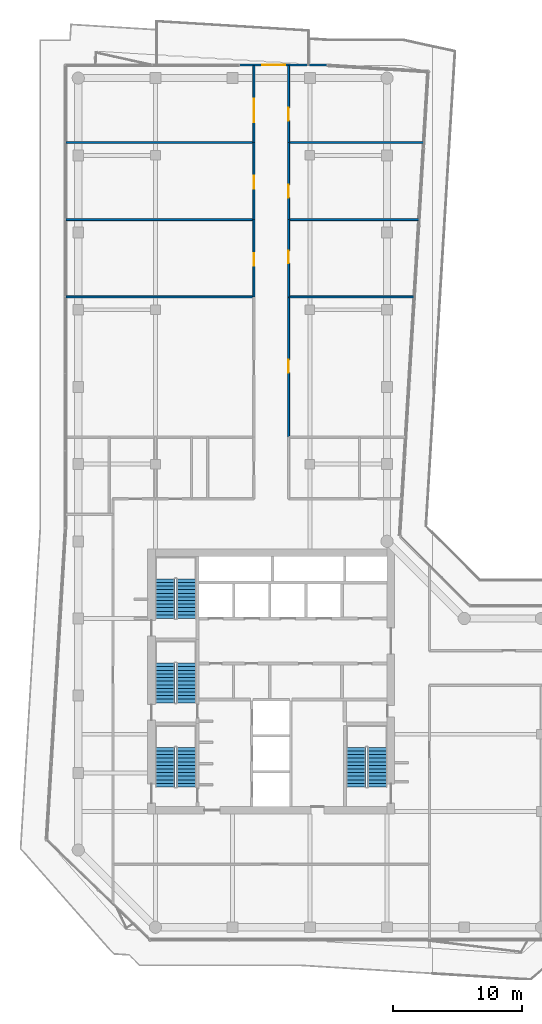
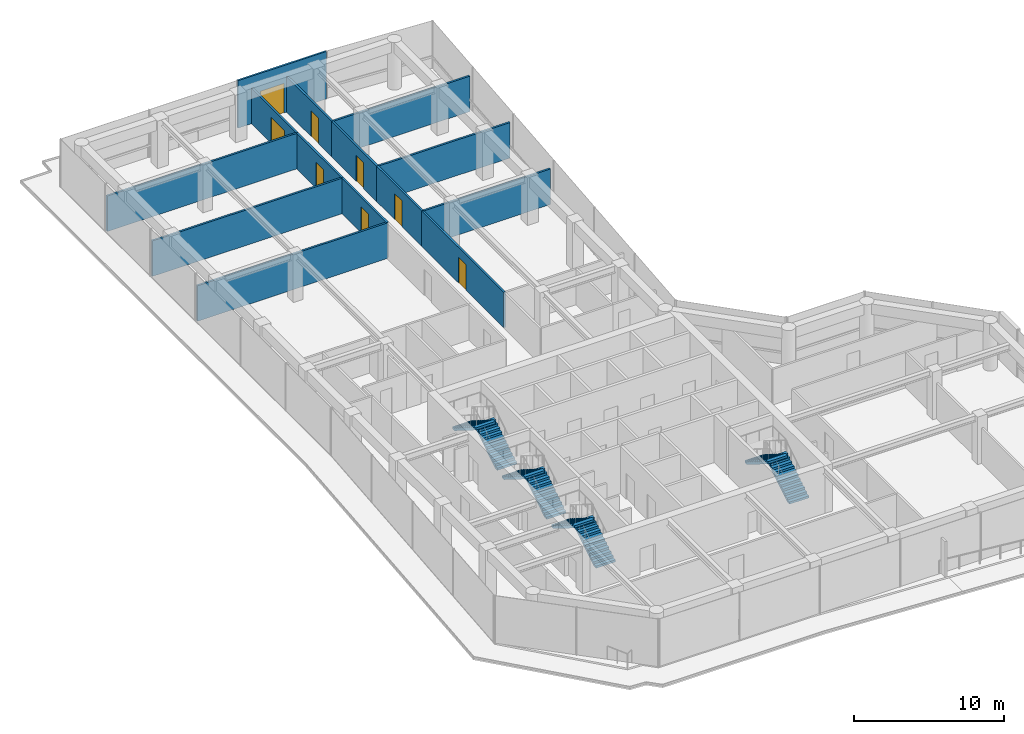
# One storey, part 20 of 22: 14 walls, 8 doors, 8 stair flights, 8 openings, 4 elements without a shape of their own.
"""IFC4 building model written with IfcOpenShell, lengths in metres."""

import ifcopenshell
import ifcopenshell.guid

model = None  # the IFC model being written
_history = None  # IfcOwnerHistory: only IFC2X3 demands one
_inside = {}  # id of a spatial element -> (the spatial element, [elements in it])
_under = {}  # id of a project, library or spatial element -> (it, [spatial elements below it])
_declared = {}  # id of a project -> (the project, [libraries it declares])
_typed = {}  # id of a type object -> (the type object, [elements of that type])
_made_of = {}  # id of a material, layer set ... -> (it, [elements and type objects made of it])


def new_model(schema):
    """Start an empty IFC model of exactly this schema.

    Asked for "IFC4X3", IfcOpenShell would pick the latest addendum, in which some entities
    have other attributes; the version numbers below select the first issue.
    IFC2X3 requires an IfcOwnerHistory on every rooted entity: one is made here for all.
    """
    global model, _history
    if schema == "IFC4X3":
        model = ifcopenshell.file(schema_version=(4, 3, 0, 0))
    else:
        model = ifcopenshell.file(schema=schema)
    _inside.clear()
    _under.clear()
    _declared.clear()
    _typed.clear()
    _made_of.clear()
    _history = None
    if model.schema == "IFC2X3":
        org = make("IfcOrganization", Name="unknown")
        user = make(
            "IfcPersonAndOrganization",
            ThePerson=make("IfcPerson", FamilyName="unknown"),
            TheOrganization=org,
        )
        app = make(
            "IfcApplication",
            ApplicationDeveloper=org,
            Version="unknown",
            ApplicationFullName="unknown",
            ApplicationIdentifier="unknown",
        )
        _history = make(
            "IfcOwnerHistory",
            OwningUser=user,
            OwningApplication=app,
            ChangeAction="ADDED",
            CreationDate=0,
        )
    return model


def make(cls, **values):
    """One entity of the class cls with the attributes given. An attribute that is None is left unset."""
    return model.create_entity(
        cls, **{name: value for name, value in values.items() if value is not None}
    )


def rooted(cls, **values):
    """An entity with a GlobalId (a new one), such as an element, a storey or a relation."""
    return make(cls, GlobalId=ifcopenshell.guid.new(), OwnerHistory=_history, **values)


def si_unit(unit_type, name, prefix=None):
    """IfcSIUnit, for example si_unit("LENGTHUNIT", "METRE", prefix="MILLI")."""
    return make("IfcSIUnit", UnitType=unit_type, Prefix=prefix, Name=name)


def assignment(units):
    """IfcUnitAssignment: the units of a project."""
    return None if units is None else make("IfcUnitAssignment", Units=units)


def point(xyz):
    """IfcCartesianPoint."""
    return None if xyz is None else make("IfcCartesianPoint", Coordinates=xyz)


def direction(xyz):
    """IfcDirection."""
    return None if xyz is None else make("IfcDirection", DirectionRatios=xyz)


def frame(location, z_axis=None, x_axis=None):
    """IfcAxis2Placement3D, a coordinate frame: its origin and axes. An axis left out is left unset."""
    return make(
        "IfcAxis2Placement3D",
        Location=point(location),
        Axis=direction(z_axis),
        RefDirection=direction(x_axis),
    )


def frame_2d(location, x_axis=None):
    """IfcAxis2Placement2D, a coordinate frame in the plane: its origin and x axis."""
    return make(
        "IfcAxis2Placement2D", Location=point(location), RefDirection=direction(x_axis)
    )


def origin():
    """The frame at (0, 0, 0) with its axes left unset."""
    return frame((0.0, 0.0, 0.0))


def place(relative_to, where):
    """IfcLocalPlacement: puts the frame where relative to a parent placement (None: the world)."""
    return make(
        "IfcLocalPlacement", PlacementRelTo=relative_to, RelativePlacement=where
    )


def context(
    kind, dimensions, precision=None, world=None, true_north=None, identifier=None
):
    """IfcGeometricRepresentationContext, for example the 3D "Model" context."""
    return make(
        "IfcGeometricRepresentationContext",
        ContextIdentifier=identifier,
        ContextType=kind,
        CoordinateSpaceDimension=dimensions,
        Precision=precision,
        WorldCoordinateSystem=world,
        TrueNorth=true_north,
    )


def subcontext(parent, identifier, kind, view, scale=None):
    """IfcGeometricRepresentationSubContext, for example "Body" below "Model"."""
    return make(
        "IfcGeometricRepresentationSubContext",
        ContextIdentifier=identifier,
        ContextType=kind,
        ParentContext=parent,
        TargetScale=scale,
        TargetView=view,
    )


def project(units=None, contexts=None):
    """IfcProject with its units and contexts."""
    return rooted(
        "IfcProject",
        Name="project",
        RepresentationContexts=contexts,
        UnitsInContext=assignment(units),
    )


def spatial(cls, under=None, at=None, **own):
    """A site, building, storey or space (cls), placed at a placement, below another one or the project."""
    s = rooted(cls, ObjectPlacement=at, **own)
    if under is not None:
        _under.setdefault(under.id(), (under, []))[1].append(s)
    return s


def polyline(points):
    """IfcPolyline through the points."""
    return make("IfcPolyline", Points=[point(p) for p in points])


def profile(cls, at=None, kind="AREA", **sizes):
    """A parametric profile (cls). Its sizes go by their IFC names, for example OverallWidth=200.0."""
    return make(cls, ProfileType=kind, Position=at, **sizes)


def rectangle(**sizes):
    """IfcRectangleProfileDef."""
    return profile("IfcRectangleProfileDef", **sizes)


def outline(outer, holes=None, kind="AREA"):
    """IfcArbitraryClosedProfileDef: a profile drawn as a closed curve; with holes, ...WithVoids."""
    if holes is None:
        return make("IfcArbitraryClosedProfileDef", ProfileType=kind, OuterCurve=outer)
    return make(
        "IfcArbitraryProfileDefWithVoids",
        ProfileType=kind,
        OuterCurve=outer,
        InnerCurves=holes,
    )


def extrude(swept, where, along, depth):
    """IfcExtrudedAreaSolid: the profile swept, set in the frame where, extruded along a direction by depth."""
    return make(
        "IfcExtrudedAreaSolid",
        SweptArea=swept,
        Position=where,
        ExtrudedDirection=direction(along),
        Depth=depth,
    )


def shape(context_of_items, identifier, shape_type, items):
    """IfcShapeRepresentation: the items that make up one representation, for example the "Body"."""
    return make(
        "IfcShapeRepresentation",
        ContextOfItems=context_of_items,
        RepresentationIdentifier=identifier,
        RepresentationType=shape_type,
        Items=items,
    )


def material(Name=None, Category=None):
    """IfcMaterial."""
    return make("IfcMaterial", Name=Name, Category=Category)


def layer(
    of_material, thickness, ventilated=None, Name=None, Category=None, Priority=None
):
    """IfcMaterialLayer: one layer of a wall or slab, of a material (None: an air gap)."""
    return make(
        "IfcMaterialLayer",
        Material=of_material,
        LayerThickness=thickness,
        IsVentilated=ventilated,
        Name=Name,
        Category=Category,
        Priority=Priority,
    )


def layer_set(layers, Name=None):
    """IfcMaterialLayerSet."""
    return make("IfcMaterialLayerSet", MaterialLayers=layers, LayerSetName=Name)


def made_of(thing, what):
    """Note that an element or type object is made of a material, layer set ...; save() writes the relation."""
    if what is not None:
        _made_of.setdefault(what.id(), (what, []))[1].append(thing)
    return thing


def type_object(cls, material=None, **own):
    """A type object (cls), such as IfcWallType, which elements share."""
    return made_of(rooted(cls, **own), material)


def element(
    cls,
    number,
    at=None,
    inside=None,
    cuts=None,
    type_object=None,
    material=None,
    context=None,
    identifier="Body",
    shape_type=None,
    held_by="IfcProductDefinitionShape",
    body=None,
    shapes=None,
    **own,
):
    """One element of the class cls, such as IfcWall. Its Tag is "e" and its number.

    at: its placement. inside: the storey or other place that contains it. cuts: it is an
    opening in that element (IfcRelVoidsElement). A single representation is given by context,
    identifier, shape_type and body (its items); several are given by shapes. held_by: the class
    of the entity that holds the representations. save() writes the other relations.
    """
    e = rooted(cls, Tag="e%d" % number, ObjectPlacement=at, **own)
    if body is not None:
        shapes = [shape(context, identifier, shape_type, body)]
    if shapes is not None:
        e.Representation = make(held_by, Representations=shapes)
    if inside is not None:
        _inside.setdefault(inside.id(), (inside, []))[1].append(e)
    if cuts is not None:
        rooted(
            "IfcRelVoidsElement", RelatingBuildingElement=cuts, RelatedOpeningElement=e
        )
    if type_object is not None:
        _typed.setdefault(type_object.id(), (type_object, []))[1].append(e)
    return made_of(e, material)


def fill(opening, filler):
    """IfcRelFillsElement: the door or window that sits in an opening."""
    return rooted(
        "IfcRelFillsElement",
        RelatingOpeningElement=opening,
        RelatedBuildingElement=filler,
    )


def aggregate(whole, parts):
    """IfcRelAggregates: a whole, such as a stair, and the parts it consists of."""
    return rooted("IfcRelAggregates", RelatingObject=whole, RelatedObjects=parts)


def save(model, path):
    """Write the relations noted so far, then the file.

    IfcRelAggregates (storeys below a building ...), IfcRelContainedInSpatialStructure (elements
    in a storey), IfcRelDefinesByType, IfcRelAssociatesMaterial and IfcRelDeclares: one each for
    every whole, place, type object, material and project.
    """
    for whole, parts in _under.values():
        aggregate(whole, parts)
    for where, things in _inside.values():
        rooted(
            "IfcRelContainedInSpatialStructure",
            RelatedElements=things,
            RelatingStructure=where,
        )
    for kind, things in _typed.values():
        rooted("IfcRelDefinesByType", RelatedObjects=things, RelatingType=kind)
    for what, things in _made_of.values():
        rooted("IfcRelAssociatesMaterial", RelatedObjects=things, RelatingMaterial=what)
    for by, libraries in _declared.values():
        rooted("IfcRelDeclares", RelatingContext=by, RelatedDefinitions=libraries)
    model.write(path)


model = new_model("IFC4")

# Units and contexts
model_context = context("Model", 3, precision=1e-05, world=origin(), true_north=direction((0.0, 1.0)))
body_context = subcontext(model_context, "Body", "Model", "MODEL_VIEW")
ifc_project = project(units=[si_unit("LENGTHUNIT", "METRE"), si_unit("AREAUNIT", "SQUARE_METRE"), si_unit("VOLUMEUNIT", "CUBIC_METRE"), si_unit("PLANEANGLEUNIT", "RADIAN"), si_unit("MASSUNIT", "GRAM", prefix="KILO")], contexts=[model_context])

# Site, building, storey
site_placement = place(None, origin())
site = spatial("IfcSite", under=ifc_project, at=site_placement, CompositionType="ELEMENT")
building_placement = place(site_placement, origin())
building = spatial("IfcBuilding", under=site, at=building_placement, Name="Welwitschia Terrace Campus", CompositionType="ELEMENT")
storey_placement = place(building_placement, frame((0.0, 0.0, 155.0)))
storey = spatial("IfcBuildingStorey", under=building, at=storey_placement, Name="L34", CompositionType="ELEMENT", Elevation=155.0)

# Wall, opening, door
ifc_material_1 = material(Name="Concrete C40/50", Category="concrete")
ifc_layer_1 = layer(ifc_material_1, 0.139892578125)
ifc_layer_set_1 = layer_set([ifc_layer_1], Name="Concrete C40/50")
wall_type_1 = type_object("IfcWallType", Name="Clad wall 140", PredefinedType="SOLIDWALL", material=ifc_layer_set_1)
wall_1_placement = place(storey_placement, frame((19.331787109375, 63.030029296875, 0.0), z_axis=(0.0, 0.0, 1.0), x_axis=(-1.0, 0.0, 0.0)))
wall_1 = element("IfcWall", 1, at=wall_1_placement, inside=storey, type_object=wall_type_1, Name="Clad wall L34.terrace door 0", PredefinedType="SOLIDWALL", context=body_context, shape_type="SweptSolid", body=[
    extrude(rectangle(XDim=6.787353515625, YDim=0.139892578125, at=frame_2d((3.3935546875, 0.0))), origin(), (0.0, 0.0, 1.0), 3.85009765625),
])
opening_1_placement = place(wall_1_placement, frame((3.243896484375, 0.0, 0.0)))
opening_1 = element("IfcOpeningElement", 2, at=opening_1_placement, cuts=wall_1, Name="Opening DE3", PredefinedType="OPENING", context=body_context, shape_type="SweptSolid", body=[
    extrude(rectangle(XDim=1.800048828125, YDim=2.39990234375, at=frame_2d((0.89990234375, 1.199951171875))), frame((0.0, 0.079833984375, 0.0), z_axis=(0.0, -1.0, 0.0), x_axis=(1.0, 0.0, 0.0)), (0.0, 0.0, 1.0), 0.159912109375),
])
ifc_material_2 = material(Name="Bronze anodised aluminium and glass", Category="aluminium")
door_type_1 = type_object("IfcDoorType", Name="Terrace door 1800x2400", OperationType="DOUBLE_DOOR_DOUBLE_SWING", PredefinedType="DOOR", material=ifc_material_2)
door_1_placement = place(opening_1_placement, origin())
door_1 = element("IfcDoor", 3, at=door_1_placement, inside=storey, type_object=door_type_1, Name="Door L34:T0", OperationType="DOUBLE_DOOR_DOUBLE_SWING", OverallHeight=2.39990234375, OverallWidth=1.800048828125, PredefinedType="DOOR", context=body_context, shape_type="SweptSolid", body=[
    extrude(rectangle(XDim=1.800048828125, YDim=2.39990234375, at=frame_2d((0.89990234375, 1.199951171875))), frame((0.0, 0.02490234375, 0.0), z_axis=(0.0, -1.0, 0.0), x_axis=(1.0, 0.0, 0.0)), (0.0, 0.0, 1.0), 0.050048828125),
])
fill(opening_1, door_1)

# Walls
ifc_material_3 = material(Name="Gypsum board on steel studs", Category="steel")
ifc_layer_2 = layer(ifc_material_3, 0.14990234375)
ifc_layer_set_2 = layer_set([ifc_layer_2], Name="Gypsum board on steel studs")
wall_type_2 = type_object("IfcWallType", Name="Corridor partition 150 EI 30", PredefinedType="PARTITIONING", material=ifc_layer_set_2)
for number, where, z_axis, x_axis, name in (
    (4, (-0.965087890625, 45.0, 0.0), (0.0, 0.0, 1.0), (1.0, 0.0, 0.0), "Partition"),
    (5, (-0.965087890625, 51.0, 0.0), (0.0, 0.0, 1.0), (1.0, 0.0, 0.0), "Partition"),
    (6, (-0.965087890625, 57.0, 0.0), (0.0, 0.0, 1.0), (1.0, 0.0, 0.0), "Partition"),
):
    element("IfcWall", number, at=place(storey_placement, frame(where, z_axis=z_axis, x_axis=x_axis)), inside=storey, type_object=wall_type_2, Name=name, PredefinedType="PARTITIONING", context=body_context, shape_type="SweptSolid", body=[
        extrude(rectangle(XDim=14.614990234375, YDim=0.14990234375, at=frame_2d((7.3076171875, 0.0))), origin(), (0.0, 0.0, 1.0), 2.8798828125),
    ])

# Wall, opening, door
wall_2_placement = place(storey_placement, frame((13.64990234375, 45.0, 0.0), z_axis=(0.0, 0.0, 1.0), x_axis=(0.0, 1.0, 0.0)))
wall_2 = element("IfcWall", 7, at=wall_2_placement, inside=storey, type_object=wall_type_2, Name="Partition", PredefinedType="PARTITIONING", context=body_context, shape_type="SweptSolid", body=[
    extrude(rectangle(XDim=6.0, YDim=0.14990234375, at=frame_2d((3.0, 0.0))), origin(), (0.0, 0.0, 1.0), 2.8798828125),
])
opening_2_placement = place(wall_2_placement, frame((2.39990234375, 0.0, 0.0)))
opening_2 = element("IfcOpeningElement", 8, at=opening_2_placement, cuts=wall_2, Name="Opening DI10", PredefinedType="OPENING", context=body_context, shape_type="SweptSolid", body=[
    extrude(rectangle(XDim=1.0, YDim=2.10009765625, at=frame_2d((0.5, 1.050048828125))), frame((0.0, 0.0849609375, 0.0), z_axis=(0.0, -1.0, 0.0), x_axis=(1.0, 0.0, 0.0)), (0.0, 0.0, 1.0), 0.169921875),
])
ifc_material_4 = material(Name="Timber veneered door", Category="wood")
door_type_2 = type_object("IfcDoorType", Name="Interior door DI10", OperationType="NOTDEFINED", PredefinedType="DOOR", material=ifc_material_4)
door_2_placement = place(opening_2_placement, origin())
door_2 = element("IfcDoor", 9, at=door_2_placement, inside=storey, type_object=door_type_2, Name="Door L34 698", OperationType="SINGLE_SWING_LEFT", OverallHeight=2.10009765625, OverallWidth=1.0, PredefinedType="DOOR", context=body_context, shape_type="SweptSolid", body=[
    extrude(rectangle(XDim=1.0, YDim=2.10009765625, at=frame_2d((0.5, 1.050048828125))), frame((0.0, 0.02490234375, 0.0), z_axis=(0.0, -1.0, 0.0), x_axis=(1.0, 0.0, 0.0)), (0.0, 0.0, 1.0), 0.050048828125),
])
fill(opening_2, door_2)

wall_3_placement = place(storey_placement, frame((13.64990234375, 51.0, 0.0), z_axis=(0.0, 0.0, 1.0), x_axis=(0.0, 1.0, 0.0)))
wall_3 = element("IfcWall", 10, at=wall_3_placement, inside=storey, type_object=wall_type_2, Name="Partition", PredefinedType="PARTITIONING", context=body_context, shape_type="SweptSolid", body=[
    extrude(rectangle(XDim=6.0, YDim=0.14990234375, at=frame_2d((3.0, 0.0))), origin(), (0.0, 0.0, 1.0), 2.8798828125),
])
opening_3_placement = place(wall_3_placement, frame((2.39990234375, 0.0, 0.0)))
opening_3 = element("IfcOpeningElement", 11, at=opening_3_placement, cuts=wall_3, Name="Opening DI10", PredefinedType="OPENING", context=body_context, shape_type="SweptSolid", body=[
    extrude(rectangle(XDim=1.0, YDim=2.10009765625, at=frame_2d((0.5, 1.050048828125))), frame((0.0, 0.0849609375, 0.0), z_axis=(0.0, -1.0, 0.0), x_axis=(1.0, 0.0, 0.0)), (0.0, 0.0, 1.0), 0.169921875),
])
door_3_placement = place(opening_3_placement, origin())
door_3 = element("IfcDoor", 12, at=door_3_placement, inside=storey, type_object=door_type_2, Name="Door L34 699", OperationType="SINGLE_SWING_RIGHT", OverallHeight=2.10009765625, OverallWidth=1.0, PredefinedType="DOOR", context=body_context, shape_type="SweptSolid", body=[
    extrude(rectangle(XDim=1.0, YDim=2.10009765625, at=frame_2d((0.5, 1.050048828125))), frame((0.0, 0.02490234375, 0.0), z_axis=(0.0, -1.0, 0.0), x_axis=(1.0, 0.0, 0.0)), (0.0, 0.0, 1.0), 0.050048828125),
])
fill(opening_3, door_3)

wall_4_placement = place(storey_placement, frame((13.64990234375, 62.97998046875, 0.0), z_axis=(0.0, 0.0, 1.0), x_axis=(0.0, -1.0, 0.0)))
wall_4 = element("IfcWall", 13, at=wall_4_placement, inside=storey, type_object=wall_type_2, Name="Partition", PredefinedType="PARTITIONING", context=body_context, shape_type="SweptSolid", body=[
    extrude(rectangle(XDim=5.97998046875, YDim=0.14990234375, at=frame_2d((2.989990234375, 0.0))), origin(), (0.0, 0.0, 1.0), 2.8798828125),
])
opening_4_placement = place(wall_4_placement, frame((2.60009765625, 0.0, 0.0)))
opening_4 = element("IfcOpeningElement", 14, at=opening_4_placement, cuts=wall_4, Name="Opening DI18", PredefinedType="OPENING", context=body_context, shape_type="SweptSolid", body=[
    extrude(rectangle(XDim=1.800048828125, YDim=2.10009765625, at=frame_2d((0.89990234375, 1.050048828125))), frame((0.0, 0.0849609375, 0.0), z_axis=(0.0, -1.0, 0.0), x_axis=(1.0, 0.0, 0.0)), (0.0, 0.0, 1.0), 0.169921875),
])
ifc_material_5 = material(Name="Timber veneered door", Category="wood")
door_type_3 = type_object("IfcDoorType", Name="Interior door DI18", OperationType="DOUBLE_DOOR_SINGLE_SWING", PredefinedType="DOOR", material=ifc_material_5)
door_4_placement = place(opening_4_placement, origin())
door_4 = element("IfcDoor", 15, at=door_4_placement, inside=storey, type_object=door_type_3, Name="Door L34 700", OperationType="SINGLE_SWING_LEFT", OverallHeight=2.10009765625, OverallWidth=1.800048828125, PredefinedType="DOOR", context=body_context, shape_type="SweptSolid", body=[
    extrude(rectangle(XDim=1.800048828125, YDim=2.10009765625, at=frame_2d((0.89990234375, 1.050048828125))), frame((0.0, 0.02490234375, 0.0), z_axis=(0.0, -1.0, 0.0), x_axis=(1.0, 0.0, 0.0)), (0.0, 0.0, 1.0), 0.050048828125),
])
fill(opening_4, door_4)

wall_5_placement = place(storey_placement, frame((16.35009765625, 45.0, 0.0), z_axis=(0.0, 0.0, 1.0), x_axis=(0.0, -1.0, 0.0)))
wall_5 = element("IfcWall", 16, at=wall_5_placement, inside=storey, type_object=wall_type_2, Name="Partition", PredefinedType="PARTITIONING", context=body_context, shape_type="SweptSolid", body=[
    extrude(rectangle(XDim=10.89990234375, YDim=0.14990234375, at=frame_2d((5.449951171875, 0.0))), origin(), (0.0, 0.0, 1.0), 2.8798828125),
])
opening_5_placement = place(wall_5_placement, frame((4.89990234375, 0.0, 0.0)))
opening_5 = element("IfcOpeningElement", 17, at=opening_5_placement, cuts=wall_5, Name="Opening DI10", PredefinedType="OPENING", context=body_context, shape_type="SweptSolid", body=[
    extrude(rectangle(XDim=1.0, YDim=2.10009765625, at=frame_2d((0.5, 1.050048828125))), frame((0.0, 0.0849609375, 0.0), z_axis=(0.0, -1.0, 0.0), x_axis=(1.0, 0.0, 0.0)), (0.0, 0.0, 1.0), 0.169921875),
])
door_5_placement = place(opening_5_placement, origin())
door_5 = element("IfcDoor", 18, at=door_5_placement, inside=storey, type_object=door_type_2, Name="Door L34 701", OperationType="SINGLE_SWING_RIGHT", OverallHeight=2.10009765625, OverallWidth=1.0, PredefinedType="DOOR", context=body_context, shape_type="SweptSolid", body=[
    extrude(rectangle(XDim=1.0, YDim=2.10009765625, at=frame_2d((0.5, 1.050048828125))), frame((0.0, 0.02490234375, 0.0), z_axis=(0.0, -1.0, 0.0), x_axis=(1.0, 0.0, 0.0)), (0.0, 0.0, 1.0), 0.050048828125),
])
fill(opening_5, door_5)

# Wall
wall_6_placement = place(storey_placement, frame((16.35009765625, 45.0, 0.0), z_axis=(0.0, 0.0, 1.0), x_axis=(1.0, 0.0, 0.0)))
element("IfcWall", 19, at=wall_6_placement, inside=storey, type_object=wall_type_2, Name="Partition", PredefinedType="PARTITIONING", context=body_context, shape_type="SweptSolid", body=[
    extrude(rectangle(XDim=9.77978515625, YDim=0.14990234375, at=frame_2d((4.889892578125, 0.0))), origin(), (0.0, 0.0, 1.0), 2.8798828125),
])

# Wall, opening, door
wall_7_placement = place(storey_placement, frame((16.35009765625, 51.0, 0.0), z_axis=(0.0, 0.0, 1.0), x_axis=(0.0, -1.0, 0.0)))
wall_7 = element("IfcWall", 20, at=wall_7_placement, inside=storey, type_object=wall_type_2, Name="Partition", PredefinedType="PARTITIONING", context=body_context, shape_type="SweptSolid", body=[
    extrude(rectangle(XDim=6.0, YDim=0.14990234375, at=frame_2d((3.0, 0.0))), origin(), (0.0, 0.0, 1.0), 2.8798828125),
])
opening_6_placement = place(wall_7_placement, frame((2.39990234375, 0.0, 0.0)))
opening_6 = element("IfcOpeningElement", 21, at=opening_6_placement, cuts=wall_7, Name="Opening DI10", PredefinedType="OPENING", context=body_context, shape_type="SweptSolid", body=[
    extrude(rectangle(XDim=1.0, YDim=2.10009765625, at=frame_2d((0.5, 1.050048828125))), frame((0.0, 0.0849609375, 0.0), z_axis=(0.0, -1.0, 0.0), x_axis=(1.0, 0.0, 0.0)), (0.0, 0.0, 1.0), 0.169921875),
])
door_6_placement = place(opening_6_placement, origin())
door_6 = element("IfcDoor", 22, at=door_6_placement, inside=storey, type_object=door_type_2, Name="Door L34 702", OperationType="SINGLE_SWING_LEFT", OverallHeight=2.10009765625, OverallWidth=1.0, PredefinedType="DOOR", context=body_context, shape_type="SweptSolid", body=[
    extrude(rectangle(XDim=1.0, YDim=2.10009765625, at=frame_2d((0.5, 1.050048828125))), frame((0.0, 0.02490234375, 0.0), z_axis=(0.0, -1.0, 0.0), x_axis=(1.0, 0.0, 0.0)), (0.0, 0.0, 1.0), 0.050048828125),
])
fill(opening_6, door_6)

# Wall
wall_8_placement = place(storey_placement, frame((16.35009765625, 51.0, 0.0), z_axis=(0.0, 0.0, 1.0), x_axis=(1.0, 0.0, 0.0)))
element("IfcWall", 23, at=wall_8_placement, inside=storey, type_object=wall_type_2, Name="Partition", PredefinedType="PARTITIONING", context=body_context, shape_type="SweptSolid", body=[
    extrude(rectangle(XDim=10.139892578125, YDim=0.14990234375, at=frame_2d((5.06982421875, 0.0))), origin(), (0.0, 0.0, 1.0), 2.8798828125),
])

# Wall, opening, door
wall_9_placement = place(storey_placement, frame((16.35009765625, 57.0, 0.0), z_axis=(0.0, 0.0, 1.0), x_axis=(0.0, -1.0, 0.0)))
wall_9 = element("IfcWall", 24, at=wall_9_placement, inside=storey, type_object=wall_type_2, Name="Partition", PredefinedType="PARTITIONING", context=body_context, shape_type="SweptSolid", body=[
    extrude(rectangle(XDim=6.0, YDim=0.14990234375, at=frame_2d((3.0, 0.0))), origin(), (0.0, 0.0, 1.0), 2.8798828125),
])
opening_7_placement = place(wall_9_placement, frame((3.300048828125, 0.0, 0.0)))
opening_7 = element("IfcOpeningElement", 25, at=opening_7_placement, cuts=wall_9, Name="Opening DI10", PredefinedType="OPENING", context=body_context, shape_type="SweptSolid", body=[
    extrude(rectangle(XDim=1.0, YDim=2.10009765625, at=frame_2d((0.5, 1.050048828125))), frame((0.0, 0.0849609375, 0.0), z_axis=(0.0, -1.0, 0.0), x_axis=(1.0, 0.0, 0.0)), (0.0, 0.0, 1.0), 0.169921875),
])
door_7_placement = place(opening_7_placement, origin())
door_7 = element("IfcDoor", 26, at=door_7_placement, inside=storey, type_object=door_type_2, Name="Door L34 703", OperationType="SINGLE_SWING_RIGHT", OverallHeight=2.10009765625, OverallWidth=1.0, PredefinedType="DOOR", context=body_context, shape_type="SweptSolid", body=[
    extrude(rectangle(XDim=1.0, YDim=2.10009765625, at=frame_2d((0.5, 1.050048828125))), frame((0.0, 0.02490234375, 0.0), z_axis=(0.0, -1.0, 0.0), x_axis=(1.0, 0.0, 0.0)), (0.0, 0.0, 1.0), 0.050048828125),
])
fill(opening_7, door_7)

# Wall
wall_10_placement = place(storey_placement, frame((16.35009765625, 57.0, 0.0), z_axis=(0.0, 0.0, 1.0), x_axis=(1.0, 0.0, 0.0)))
element("IfcWall", 27, at=wall_10_placement, inside=storey, type_object=wall_type_2, Name="Partition", PredefinedType="PARTITIONING", context=body_context, shape_type="SweptSolid", body=[
    extrude(rectangle(XDim=10.510009765625, YDim=0.14990234375, at=frame_2d((5.2548828125, 0.0))), origin(), (0.0, 0.0, 1.0), 2.8798828125),
])

# Wall, opening, door
wall_11_placement = place(storey_placement, frame((16.35009765625, 62.97998046875, 0.0), z_axis=(0.0, 0.0, 1.0), x_axis=(0.0, -1.0, 0.0)))
wall_11 = element("IfcWall", 28, at=wall_11_placement, inside=storey, type_object=wall_type_2, Name="Partition", PredefinedType="PARTITIONING", context=body_context, shape_type="SweptSolid", body=[
    extrude(rectangle(XDim=5.97998046875, YDim=0.14990234375, at=frame_2d((2.989990234375, 0.0))), origin(), (0.0, 0.0, 1.0), 2.8798828125),
])
opening_8_placement = place(wall_11_placement, frame((3.280029296875, 0.0, 0.0)))
opening_8 = element("IfcOpeningElement", 29, at=opening_8_placement, cuts=wall_11, Name="Opening DI10", PredefinedType="OPENING", context=body_context, shape_type="SweptSolid", body=[
    extrude(rectangle(XDim=1.0, YDim=2.10009765625, at=frame_2d((0.5, 1.050048828125))), frame((0.0, 0.0849609375, 0.0), z_axis=(0.0, -1.0, 0.0), x_axis=(1.0, 0.0, 0.0)), (0.0, 0.0, 1.0), 0.169921875),
])
door_8_placement = place(opening_8_placement, origin())
door_8 = element("IfcDoor", 30, at=door_8_placement, inside=storey, type_object=door_type_2, Name="Door L34 704", OperationType="SINGLE_SWING_LEFT", OverallHeight=2.10009765625, OverallWidth=1.0, PredefinedType="DOOR", context=body_context, shape_type="SweptSolid", body=[
    extrude(rectangle(XDim=1.0, YDim=2.10009765625, at=frame_2d((0.5, 1.050048828125))), frame((0.0, 0.02490234375, 0.0), z_axis=(0.0, -1.0, 0.0), x_axis=(1.0, 0.0, 0.0)), (0.0, 0.0, 1.0), 0.050048828125),
])
fill(opening_8, door_8)

# Stair, stair flights
ifc_material_6 = material(Name="Concrete C40/50", Category="concrete")
stair_type = type_object("IfcStairType", Name="Stair 24R 175 W1500", PredefinedType="HALF_TURN_STAIR", material=ifc_material_6)
stair_1_placement = place(storey_placement, origin())
stair_1 = element("IfcStair", 31, at=stair_1_placement, inside=storey, type_object=stair_type, Name="L34 Exit stair S1", PredefinedType="HALF_TURN_STAIR")
ifc_material_7 = material(Name="Concrete C40/50", Category="concrete")
stair_flight_type = type_object("IfcStairFlightType", Name="Stair flight 24R 175 W1500", PredefinedType="STRAIGHT", material=ifc_material_7)
stair_flight_1_placement = place(storey_placement, frame((8.39990234375, 6.89990234375, 0.0), z_axis=(0.0, 0.0, 1.0), x_axis=(0.0, 1.0, 0.0)))
stair_flight_1 = element("IfcStairFlight", 32, at=stair_flight_1_placement, type_object=stair_flight_type, Name="S1 flight 1", NumberOfRisers=12, NumberOfTreads=11, PredefinedType="STRAIGHT", RiserHeight=0.175, TreadLength=0.28, context=body_context, shape_type="SweptSolid", body=[
    extrude(outline(polyline([(0.0, 0.0), (0.0, 0.175048828125), (0.280029296875, 0.175048828125), (0.280029296875, 0.35009765625), (0.56005859375, 0.35009765625), (0.56005859375, 0.52490234375), (0.840087890625, 0.52490234375), (0.840087890625, 0.699951171875), (1.1201171875, 0.699951171875), (1.1201171875, 0.875), (1.39990234375, 0.875), (1.39990234375, 1.050048828125), (1.679931640625, 1.050048828125), (1.679931640625, 1.22509765625), (1.9599609375, 1.22509765625), (1.9599609375, 1.39990234375), (2.239990234375, 1.39990234375), (2.239990234375, 1.574951171875), (2.52001953125, 1.574951171875), (2.52001953125, 1.75), (2.800048828125, 1.75), (2.800048828125, 1.925048828125), (3.080078125, 1.925048828125), (3.080078125, 2.10009765625), (3.080078125, 1.748291015625), (0.28271484375, 0.0), (0.0, 0.0)])), frame((0.0, 0.75, 0.0), z_axis=(0.0, -1.0, 0.0), x_axis=(1.0, 0.0, 0.0)), (0.0, 0.0, 1.0), 1.5),
])
stair_flight_2_placement = place(storey_placement, frame((6.75, 9.97998046875, 2.10009765625), z_axis=(0.0, 0.0, 1.0), x_axis=(0.0, -1.0, 0.0)))
stair_flight_2 = element("IfcStairFlight", 33, at=stair_flight_2_placement, type_object=stair_flight_type, Name="S1 flight 2", NumberOfRisers=12, NumberOfTreads=11, PredefinedType="STRAIGHT", RiserHeight=0.175, TreadLength=0.28, context=body_context, shape_type="SweptSolid", body=[
    extrude(outline(polyline([(0.0, 0.0), (0.0, 0.175048828125), (0.280029296875, 0.175048828125), (0.280029296875, 0.35009765625), (0.56005859375, 0.35009765625), (0.56005859375, 0.52490234375), (0.840087890625, 0.52490234375), (0.840087890625, 0.699951171875), (1.1201171875, 0.699951171875), (1.1201171875, 0.875), (1.39990234375, 0.875), (1.39990234375, 1.050048828125), (1.679931640625, 1.050048828125), (1.679931640625, 1.22509765625), (1.9599609375, 1.22509765625), (1.9599609375, 1.39990234375), (2.239990234375, 1.39990234375), (2.239990234375, 1.574951171875), (2.52001953125, 1.574951171875), (2.52001953125, 1.75), (2.800048828125, 1.75), (2.800048828125, 1.925048828125), (3.080078125, 1.925048828125), (3.080078125, 2.10009765625), (3.080078125, 1.748291015625), (0.28271484375, 0.0), (0.0, 0.0)])), frame((0.0, 0.75, 0.0), z_axis=(0.0, -1.0, 0.0), x_axis=(1.0, 0.0, 0.0)), (0.0, 0.0, 1.0), 1.5),
])
aggregate(stair_1, [stair_flight_1, stair_flight_2])

stair_2_placement = place(storey_placement, origin())
stair_2 = element("IfcStair", 34, at=stair_2_placement, inside=storey, type_object=stair_type, Name="L34 Exit stair S3", PredefinedType="HALF_TURN_STAIR")
stair_flight_3_placement = place(storey_placement, frame((8.39990234375, 13.449951171875, 0.0), z_axis=(0.0, 0.0, 1.0), x_axis=(0.0, 1.0, 0.0)))
stair_flight_3 = element("IfcStairFlight", 35, at=stair_flight_3_placement, type_object=stair_flight_type, Name="S3 flight 1", NumberOfRisers=12, NumberOfTreads=11, PredefinedType="STRAIGHT", RiserHeight=0.175, TreadLength=0.28, context=body_context, shape_type="SweptSolid", body=[
    extrude(outline(polyline([(0.0, 0.0), (0.0, 0.175048828125), (0.280029296875, 0.175048828125), (0.280029296875, 0.35009765625), (0.56005859375, 0.35009765625), (0.56005859375, 0.52490234375), (0.840087890625, 0.52490234375), (0.840087890625, 0.699951171875), (1.1201171875, 0.699951171875), (1.1201171875, 0.875), (1.39990234375, 0.875), (1.39990234375, 1.050048828125), (1.679931640625, 1.050048828125), (1.679931640625, 1.22509765625), (1.9599609375, 1.22509765625), (1.9599609375, 1.39990234375), (2.239990234375, 1.39990234375), (2.239990234375, 1.574951171875), (2.52001953125, 1.574951171875), (2.52001953125, 1.75), (2.800048828125, 1.75), (2.800048828125, 1.925048828125), (3.080078125, 1.925048828125), (3.080078125, 2.10009765625), (3.080078125, 1.748291015625), (0.28271484375, 0.0), (0.0, 0.0)])), frame((0.0, 0.75, 0.0), z_axis=(0.0, -1.0, 0.0), x_axis=(1.0, 0.0, 0.0)), (0.0, 0.0, 1.0), 1.5),
])
stair_flight_4_placement = place(storey_placement, frame((6.75, 16.530029296875, 2.10009765625), z_axis=(0.0, 0.0, 1.0), x_axis=(0.0, -1.0, 0.0)))
stair_flight_4 = element("IfcStairFlight", 36, at=stair_flight_4_placement, type_object=stair_flight_type, Name="S3 flight 2", NumberOfRisers=12, NumberOfTreads=11, PredefinedType="STRAIGHT", RiserHeight=0.175, TreadLength=0.28, context=body_context, shape_type="SweptSolid", body=[
    extrude(outline(polyline([(0.0, 0.0), (0.0, 0.175048828125), (0.280029296875, 0.175048828125), (0.280029296875, 0.35009765625), (0.56005859375, 0.35009765625), (0.56005859375, 0.52490234375), (0.840087890625, 0.52490234375), (0.840087890625, 0.699951171875), (1.1201171875, 0.699951171875), (1.1201171875, 0.875), (1.39990234375, 0.875), (1.39990234375, 1.050048828125), (1.679931640625, 1.050048828125), (1.679931640625, 1.22509765625), (1.9599609375, 1.22509765625), (1.9599609375, 1.39990234375), (2.239990234375, 1.39990234375), (2.239990234375, 1.574951171875), (2.52001953125, 1.574951171875), (2.52001953125, 1.75), (2.800048828125, 1.75), (2.800048828125, 1.925048828125), (3.080078125, 1.925048828125), (3.080078125, 2.10009765625), (3.080078125, 1.748291015625), (0.28271484375, 0.0), (0.0, 0.0)])), frame((0.0, 0.75, 0.0), z_axis=(0.0, -1.0, 0.0), x_axis=(1.0, 0.0, 0.0)), (0.0, 0.0, 1.0), 1.5),
])
aggregate(stair_2, [stair_flight_3, stair_flight_4])

stair_3_placement = place(storey_placement, origin())
stair_3 = element("IfcStair", 37, at=stair_3_placement, inside=storey, type_object=stair_type, Name="L34 Exit stair S4", PredefinedType="HALF_TURN_STAIR")
stair_flight_5_placement = place(storey_placement, frame((8.39990234375, 20.0, 0.0), z_axis=(0.0, 0.0, 1.0), x_axis=(0.0, 1.0, 0.0)))
stair_flight_5 = element("IfcStairFlight", 38, at=stair_flight_5_placement, type_object=stair_flight_type, Name="S4 flight 1", NumberOfRisers=12, NumberOfTreads=11, PredefinedType="STRAIGHT", RiserHeight=0.175, TreadLength=0.28, context=body_context, shape_type="SweptSolid", body=[
    extrude(outline(polyline([(0.0, 0.0), (0.0, 0.175048828125), (0.280029296875, 0.175048828125), (0.280029296875, 0.35009765625), (0.56005859375, 0.35009765625), (0.56005859375, 0.52490234375), (0.840087890625, 0.52490234375), (0.840087890625, 0.699951171875), (1.1201171875, 0.699951171875), (1.1201171875, 0.875), (1.39990234375, 0.875), (1.39990234375, 1.050048828125), (1.679931640625, 1.050048828125), (1.679931640625, 1.22509765625), (1.9599609375, 1.22509765625), (1.9599609375, 1.39990234375), (2.239990234375, 1.39990234375), (2.239990234375, 1.574951171875), (2.52001953125, 1.574951171875), (2.52001953125, 1.75), (2.800048828125, 1.75), (2.800048828125, 1.925048828125), (3.080078125, 1.925048828125), (3.080078125, 2.10009765625), (3.080078125, 1.748291015625), (0.28271484375, 0.0), (0.0, 0.0)])), frame((0.0, 0.75, 0.0), z_axis=(0.0, -1.0, 0.0), x_axis=(1.0, 0.0, 0.0)), (0.0, 0.0, 1.0), 1.5),
])
stair_flight_6_placement = place(storey_placement, frame((6.75, 23.080078125, 2.10009765625), z_axis=(0.0, 0.0, 1.0), x_axis=(0.0, -1.0, 0.0)))
stair_flight_6 = element("IfcStairFlight", 39, at=stair_flight_6_placement, type_object=stair_flight_type, Name="S4 flight 2", NumberOfRisers=12, NumberOfTreads=11, PredefinedType="STRAIGHT", RiserHeight=0.175, TreadLength=0.28, context=body_context, shape_type="SweptSolid", body=[
    extrude(outline(polyline([(0.0, 0.0), (0.0, 0.175048828125), (0.280029296875, 0.175048828125), (0.280029296875, 0.35009765625), (0.56005859375, 0.35009765625), (0.56005859375, 0.52490234375), (0.840087890625, 0.52490234375), (0.840087890625, 0.699951171875), (1.1201171875, 0.699951171875), (1.1201171875, 0.875), (1.39990234375, 0.875), (1.39990234375, 1.050048828125), (1.679931640625, 1.050048828125), (1.679931640625, 1.22509765625), (1.9599609375, 1.22509765625), (1.9599609375, 1.39990234375), (2.239990234375, 1.39990234375), (2.239990234375, 1.574951171875), (2.52001953125, 1.574951171875), (2.52001953125, 1.75), (2.800048828125, 1.75), (2.800048828125, 1.925048828125), (3.080078125, 1.925048828125), (3.080078125, 2.10009765625), (3.080078125, 1.748291015625), (0.28271484375, 0.0), (0.0, 0.0)])), frame((0.0, 0.75, 0.0), z_axis=(0.0, -1.0, 0.0), x_axis=(1.0, 0.0, 0.0)), (0.0, 0.0, 1.0), 1.5),
])
aggregate(stair_3, [stair_flight_5, stair_flight_6])

stair_4_placement = place(storey_placement, origin())
stair_4 = element("IfcStair", 40, at=stair_4_placement, inside=storey, type_object=stair_type, Name="L34 Exit stair S2", PredefinedType="HALF_TURN_STAIR")
stair_flight_7_placement = place(storey_placement, frame((23.25, 6.89990234375, 0.0), z_axis=(0.0, 0.0, 1.0), x_axis=(0.0, 1.0, 0.0)))
stair_flight_7 = element("IfcStairFlight", 41, at=stair_flight_7_placement, type_object=stair_flight_type, Name="S2 flight 1", NumberOfRisers=12, NumberOfTreads=11, PredefinedType="STRAIGHT", RiserHeight=0.175, TreadLength=0.28, context=body_context, shape_type="SweptSolid", body=[
    extrude(outline(polyline([(0.0, 0.0), (0.0, 0.175048828125), (0.280029296875, 0.175048828125), (0.280029296875, 0.35009765625), (0.56005859375, 0.35009765625), (0.56005859375, 0.52490234375), (0.840087890625, 0.52490234375), (0.840087890625, 0.699951171875), (1.1201171875, 0.699951171875), (1.1201171875, 0.875), (1.39990234375, 0.875), (1.39990234375, 1.050048828125), (1.679931640625, 1.050048828125), (1.679931640625, 1.22509765625), (1.9599609375, 1.22509765625), (1.9599609375, 1.39990234375), (2.239990234375, 1.39990234375), (2.239990234375, 1.574951171875), (2.52001953125, 1.574951171875), (2.52001953125, 1.75), (2.800048828125, 1.75), (2.800048828125, 1.925048828125), (3.080078125, 1.925048828125), (3.080078125, 2.10009765625), (3.080078125, 1.748291015625), (0.28271484375, 0.0), (0.0, 0.0)])), frame((0.0, 0.75, 0.0), z_axis=(0.0, -1.0, 0.0), x_axis=(1.0, 0.0, 0.0)), (0.0, 0.0, 1.0), 1.5),
])
stair_flight_8_placement = place(storey_placement, frame((21.60009765625, 9.97998046875, 2.10009765625), z_axis=(0.0, 0.0, 1.0), x_axis=(0.0, -1.0, 0.0)))
stair_flight_8 = element("IfcStairFlight", 42, at=stair_flight_8_placement, type_object=stair_flight_type, Name="S2 flight 2", NumberOfRisers=12, NumberOfTreads=11, PredefinedType="STRAIGHT", RiserHeight=0.175, TreadLength=0.28, context=body_context, shape_type="SweptSolid", body=[
    extrude(outline(polyline([(0.0, 0.0), (0.0, 0.175048828125), (0.280029296875, 0.175048828125), (0.280029296875, 0.35009765625), (0.56005859375, 0.35009765625), (0.56005859375, 0.52490234375), (0.840087890625, 0.52490234375), (0.840087890625, 0.699951171875), (1.1201171875, 0.699951171875), (1.1201171875, 0.875), (1.39990234375, 0.875), (1.39990234375, 1.050048828125), (1.679931640625, 1.050048828125), (1.679931640625, 1.22509765625), (1.9599609375, 1.22509765625), (1.9599609375, 1.39990234375), (2.239990234375, 1.39990234375), (2.239990234375, 1.574951171875), (2.52001953125, 1.574951171875), (2.52001953125, 1.75), (2.800048828125, 1.75), (2.800048828125, 1.925048828125), (3.080078125, 1.925048828125), (3.080078125, 2.10009765625), (3.080078125, 1.748291015625), (0.28271484375, 0.0), (0.0, 0.0)])), frame((0.0, 0.75, 0.0), z_axis=(0.0, -1.0, 0.0), x_axis=(1.0, 0.0, 0.0)), (0.0, 0.0, 1.0), 1.5),
])
aggregate(stair_4, [stair_flight_7, stair_flight_8])

save(model, "model.ifc")
